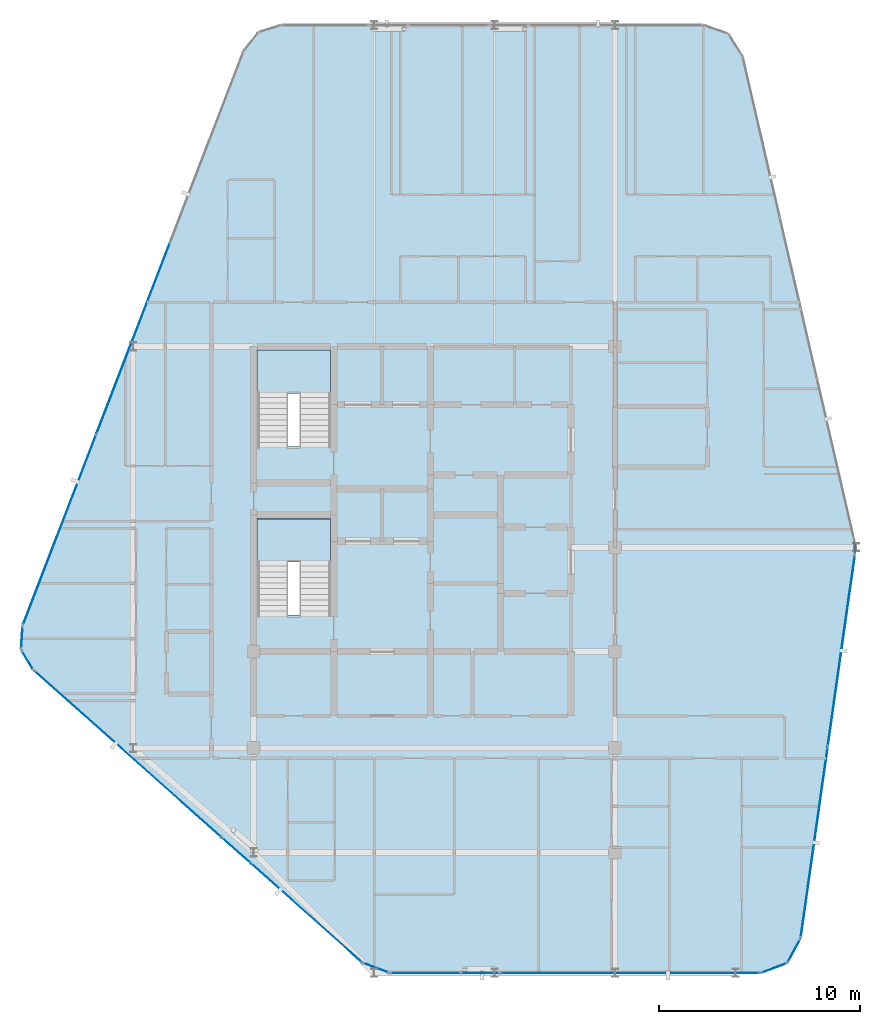
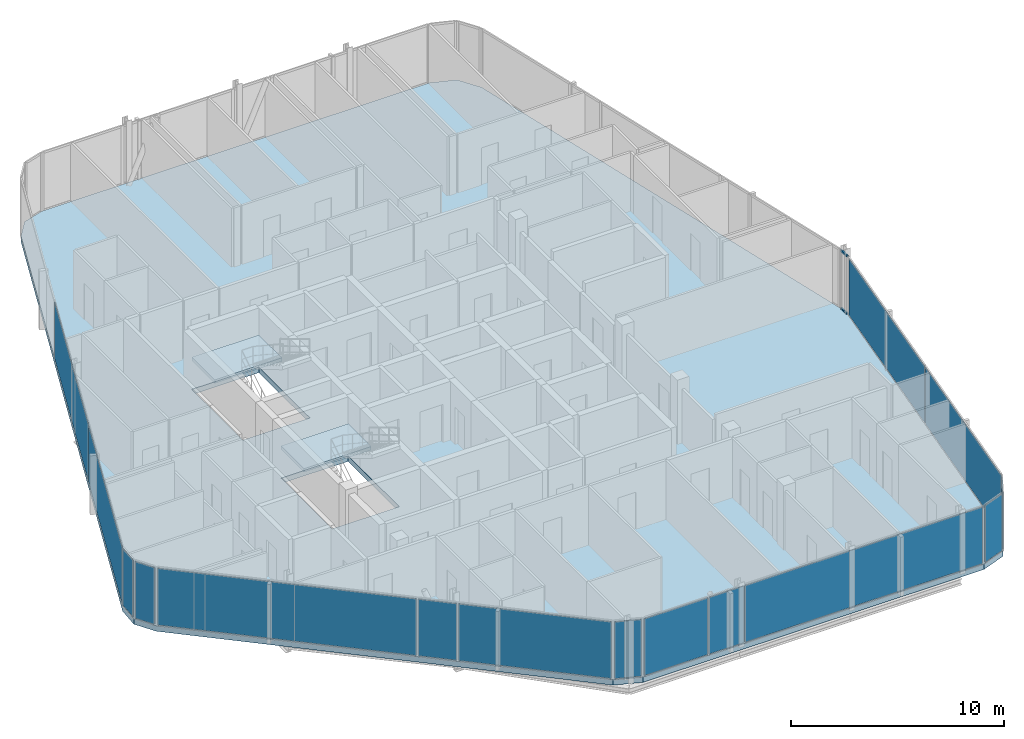
# One storey, part 20 of 28: 15 plates, 3 slabs, 2 members, 16 elements without a shape of their own.
"""IFC4 building model written with IfcOpenShell, lengths in metres."""

from ifc_helpers import new_model, si_unit, direction, frame, origin, origin_2d, place, context, subcontext, project, spatial, polyline, rectangle, hollow_rectangle, outline, extrude, material, layer, layer_set, material_profile, profile_set, type_object, element, aggregate, save


model = new_model("IFC4")

# Units and contexts
model_context = context("Model", 3, precision=1e-05, world=origin(), true_north=direction((0.0, 1.0)))
body_context = subcontext(model_context, "Body", "Model", "MODEL_VIEW")
ifc_project = project(units=[si_unit("LENGTHUNIT", "METRE"), si_unit("AREAUNIT", "SQUARE_METRE"), si_unit("VOLUMEUNIT", "CUBIC_METRE"), si_unit("PLANEANGLEUNIT", "RADIAN"), si_unit("MASSUNIT", "GRAM", prefix="KILO")], contexts=[model_context])

# Site, building, storey
site_placement = place(None, origin())
site = spatial("IfcSite", under=ifc_project, at=site_placement, CompositionType="ELEMENT")
building_placement = place(site_placement, origin())
building = spatial("IfcBuilding", under=site, at=building_placement, Name="Keshet Zoharim Tower", CompositionType="ELEMENT")
storey_placement = place(building_placement, frame((0.0, 0.0, 303.60009765625)))
storey = spatial("IfcBuildingStorey", under=building, at=storey_placement, Name="L76", CompositionType="ELEMENT", Elevation=303.60009765625)

# Curtain wall, members
ifc_material_1 = material(Name="Aluminium 6063-T6", Category="aluminium")
ifc_layer_1 = layer(ifc_material_1, 0.260009765625)
ifc_layer_set_1 = layer_set([ifc_layer_1], Name="Aluminium 6063-T6")
curtain_wall_type = type_object("IfcCurtainWallType", Name="CW-SYS-06", PredefinedType="NOTDEFINED", material=ifc_layer_set_1)
curtain_wall_1_placement = place(storey_placement, origin())
curtain_wall_1 = element("IfcCurtainWall", 1, at=curtain_wall_1_placement, inside=storey, type_object=curtain_wall_type, Name="L76 Unitised Curtain Wall 10", PredefinedType="NOTDEFINED")
ifc_material_profile = material_profile(ifc_material_1, hollow_rectangle(XDim=0.074951171875, YDim=0.1201171875, WallThickness=0.00390625, at=origin_2d()), Name="TRN-75x120")
ifc_profile_set = profile_set([ifc_material_profile], Name="Aluminium 6063-T6")
member_type = type_object("IfcMemberType", Name="CWT-T12", PredefinedType="USERDEFINED", material=ifc_profile_set)
member_1_placement = place(storey_placement, frame((44.9189453125, 28.192138671875, 0.034912109375), z_axis=(0.043813905352, -0.99903970977, 0.0), x_axis=(0.99903970977, 0.043813905352, 0.0)))
member_1 = element("IfcMember", 2, at=member_1_placement, type_object=member_type, Name="CW-06 transom 1.1", ObjectType="TRANSOM", PredefinedType="USERDEFINED", context=body_context, shape_type="SweptSolid", body=[
    extrude(hollow_rectangle(XDim=0.074951171875, YDim=0.1201171875, WallThickness=0.00390625, at=origin_2d()), origin(), (0.0, 0.0, 1.0), 0.590576171875),
])
member_2_placement = place(storey_placement, frame((44.9189453125, 28.192138671875, 3.35498046875), z_axis=(0.043813905352, -0.99903970977, 0.0), x_axis=(0.99903970977, 0.043813905352, 0.0)))
member_2 = element("IfcMember", 3, at=member_2_placement, type_object=member_type, Name="CW-06 transom 1.2", ObjectType="TRANSOM", PredefinedType="USERDEFINED", context=body_context, shape_type="SweptSolid", body=[
    extrude(hollow_rectangle(XDim=0.074951171875, YDim=0.1201171875, WallThickness=0.00390625, at=origin_2d()), origin(), (0.0, 0.0, 1.0), 0.590576171875),
])
aggregate(curtain_wall_1, [member_1, member_2])

# Curtain wall, plate
curtain_wall_2_placement = place(storey_placement, origin())
curtain_wall_2 = element("IfcCurtainWall", 4, at=curtain_wall_2_placement, inside=storey, type_object=curtain_wall_type, Name="L76 Unitised Curtain Wall 01", PredefinedType="NOTDEFINED")
ifc_material_2 = material(Name="Insulated Low-E Clear Glass", Category="glass")
ifc_layer_2 = layer(ifc_material_2, 0.028076171875)
ifc_layer_set_2 = layer_set([ifc_layer_2], Name="Insulated Low-E Clear Glass")
plate_type_1 = type_object("IfcPlateType", Name="CWP-03", PredefinedType="CURTAIN_PANEL", material=ifc_layer_set_2)
plate_1_placement = place(storey_placement, frame((3.7275390625, 22.291015625, 0.06982421875), z_axis=(0.0, 0.0, 1.0), x_axis=(-0.515604947933, 0.856826433805, 0.0)))
plate_1 = element("IfcPlate", 5, at=plate_1_placement, type_object=plate_type_1, Name="CW-06 panel 1.1", PredefinedType="CURTAIN_PANEL", context=body_context, shape_type="SweptSolid", body=[
    extrude(rectangle(XDim=1.052734375, YDim=0.028076171875, at=origin_2d()), origin(), (0.0, 0.0, 1.0), 3.25),
])
aggregate(curtain_wall_2, [plate_1])

curtain_wall_3_placement = place(storey_placement, origin())
curtain_wall_3 = element("IfcCurtainWall", 6, at=curtain_wall_3_placement, inside=storey, type_object=curtain_wall_type, Name="L76 Unitised Curtain Wall 02", PredefinedType="NOTDEFINED")
plate_2_placement = place(storey_placement, frame((3.45849609375, 23.3974609375, 0.06982421875), z_axis=(0.0, 0.0, 1.0), x_axis=(0.064516859374, 0.997916617186, 0.0)))
plate_2 = element("IfcPlate", 7, at=plate_2_placement, type_object=plate_type_1, Name="CW-06 panel 1.1", PredefinedType="CURTAIN_PANEL", context=body_context, shape_type="SweptSolid", body=[
    extrude(rectangle(XDim=1.053466796875, YDim=0.028076171875, at=origin_2d()), origin(), (0.0, 0.0, 1.0), 3.25),
])
aggregate(curtain_wall_3, [plate_2])

# Curtain wall, plates
curtain_wall_4_placement = place(storey_placement, origin())
curtain_wall_4 = element("IfcCurtainWall", 8, at=curtain_wall_4_placement, inside=storey, type_object=curtain_wall_type, Name="L76 Unitised Curtain Wall 03", PredefinedType="NOTDEFINED")
plate_3_placement = place(storey_placement, frame((5.33837890625, 28.7802734375, 0.06982421875), z_axis=(0.0, 0.0, 1.0), x_axis=(0.358990003907, 0.933341404361, 0.0)))
plate_3 = element("IfcPlate", 9, at=plate_3_placement, type_object=plate_type_1, Name="CW-06 panel 1.1", PredefinedType="CURTAIN_PANEL", context=body_context, shape_type="SweptSolid", body=[
    extrude(rectangle(XDim=10.1181640625, YDim=0.028076171875, at=origin_2d()), origin(), (0.0, 0.0, 1.0), 3.25),
])
plate_4_placement = place(storey_placement, frame((9.001953125, 38.305419921875, 0.06982421875), z_axis=(0.0, 0.0, 1.0), x_axis=(0.358990003907, 0.933341404361, 0.0)))
plate_4 = element("IfcPlate", 10, at=plate_4_placement, type_object=plate_type_1, Name="CW-06 panel 2.1", PredefinedType="CURTAIN_PANEL", context=body_context, shape_type="SweptSolid", body=[
    extrude(rectangle(XDim=10.153076171875, YDim=0.028076171875, at=origin_2d()), origin(), (0.0, 0.0, 1.0), 3.25),
])
aggregate(curtain_wall_4, [plate_3, plate_4])

curtain_wall_5_placement = place(storey_placement, origin())
curtain_wall_5 = element("IfcCurtainWall", 11, at=curtain_wall_5_placement, inside=storey, type_object=curtain_wall_type, Name="L76 Unitised Curtain Wall 11", PredefinedType="NOTDEFINED")
plate_5_placement = place(storey_placement, frame((44.269287109375, 22.736572265625, 0.06982421875), z_axis=(0.0, 0.0, 1.0), x_axis=(-0.140137464177, -0.990132057422, 0.0)))
plate_5 = element("IfcPlate", 12, at=plate_5_placement, type_object=plate_type_1, Name="CW-06 panel 1.1", PredefinedType="CURTAIN_PANEL", context=body_context, shape_type="SweptSolid", body=[
    extrude(rectangle(XDim=9.546142578125, YDim=0.028076171875, at=origin_2d()), origin(), (0.0, 0.0, 1.0), 3.25),
])
plate_6_placement = place(storey_placement, frame((42.921630859375, 13.21533203125, 0.06982421875), z_axis=(0.0, 0.0, 1.0), x_axis=(-0.140137464177, -0.990132057422, 0.0)))
plate_6 = element("IfcPlate", 13, at=plate_6_placement, type_object=plate_type_1, Name="CW-06 panel 2.1", PredefinedType="CURTAIN_PANEL", context=body_context, shape_type="SweptSolid", body=[
    extrude(rectangle(XDim=9.546142578125, YDim=0.028076171875, at=origin_2d()), origin(), (0.0, 0.0, 1.0), 3.25),
])
aggregate(curtain_wall_5, [plate_5, plate_6])

# Curtain wall, plate
curtain_wall_6_placement = place(storey_placement, origin())
curtain_wall_6 = element("IfcCurtainWall", 14, at=curtain_wall_6_placement, inside=storey, type_object=curtain_wall_type, Name="L76 Unitised Curtain Wall 12", PredefinedType="NOTDEFINED")
plate_7_placement = place(storey_placement, frame((41.908447265625, 7.804931640625, 0.06982421875), z_axis=(0.0, 0.0, 1.0), x_axis=(-0.477800955789, -0.878468125004, 0.0)))
plate_7 = element("IfcPlate", 15, at=plate_7_placement, type_object=plate_type_1, Name="CW-06 panel 1.1", PredefinedType="CURTAIN_PANEL", context=body_context, shape_type="SweptSolid", body=[
    extrude(rectangle(XDim=1.26025390625, YDim=0.028076171875, at=origin_2d()), origin(), (0.0, 0.0, 1.0), 3.25),
])
aggregate(curtain_wall_6, [plate_7])

curtain_wall_7_placement = place(storey_placement, origin())
curtain_wall_7 = element("IfcCurtainWall", 16, at=curtain_wall_7_placement, inside=storey, type_object=curtain_wall_type, Name="L76 Unitised Curtain Wall 13", PredefinedType="NOTDEFINED")
plate_8_placement = place(storey_placement, frame((40.91845703125, 6.945068359375, 0.06982421875), z_axis=(0.0, 0.0, 1.0), x_axis=(-0.936710343781, -0.350105315376, 0.0)))
plate_8 = element("IfcPlate", 17, at=plate_8_placement, type_object=plate_type_1, Name="CW-06 panel 1.1", PredefinedType="CURTAIN_PANEL", context=body_context, shape_type="SweptSolid", body=[
    extrude(rectangle(XDim=1.259521484375, YDim=0.028076171875, at=origin_2d()), origin(), (0.0, 0.0, 1.0), 3.25),
])
aggregate(curtain_wall_7, [plate_8])

curtain_wall_8_placement = place(storey_placement, origin())
curtain_wall_8 = element("IfcCurtainWall", 18, at=curtain_wall_8_placement, inside=storey, type_object=curtain_wall_type, Name="L76 Unitised Curtain Wall 14", PredefinedType="NOTDEFINED")
plate_9_placement = place(storey_placement, frame((33.743896484375, 6.699951171875, 0.06982421875), z_axis=(0.0, 0.0, 1.0), x_axis=(-1.0, 0.0, 0.0)))
plate_9 = element("IfcPlate", 19, at=plate_9_placement, type_object=plate_type_1, Name="CW-06 panel 1.1", PredefinedType="CURTAIN_PANEL", context=body_context, shape_type="SweptSolid", body=[
    extrude(rectangle(XDim=12.898193359375, YDim=0.028076171875, at=origin_2d()), origin(), (0.0, 0.0, 1.0), 3.25),
])
aggregate(curtain_wall_8, [plate_9])

curtain_wall_9_placement = place(storey_placement, origin())
curtain_wall_9 = element("IfcCurtainWall", 20, at=curtain_wall_9_placement, inside=storey, type_object=curtain_wall_type, Name="L76 Unitised Curtain Wall 14 Part 3", PredefinedType="NOTDEFINED")
plate_10_placement = place(storey_placement, frame((23.552490234375, 6.699951171875, 0.06982421875), z_axis=(0.0, 0.0, 1.0), x_axis=(-1.0, 0.0, 0.0)))
plate_10 = element("IfcPlate", 21, at=plate_10_placement, type_object=plate_type_1, Name="CW-06 panel 1.1", PredefinedType="CURTAIN_PANEL", context=body_context, shape_type="SweptSolid", body=[
    extrude(rectangle(XDim=3.4453125, YDim=0.028076171875, at=origin_2d()), origin(), (0.0, 0.0, 1.0), 3.25),
])
aggregate(curtain_wall_9, [plate_10])

curtain_wall_10_placement = place(storey_placement, origin())
curtain_wall_10 = element("IfcCurtainWall", 22, at=curtain_wall_10_placement, inside=storey, type_object=curtain_wall_type, Name="L76 Unitised Curtain Wall 15", PredefinedType="NOTDEFINED")
plate_11_placement = place(storey_placement, frame((21.095947265625, 6.952392578125, 0.06982421875), z_axis=(0.0, 0.0, 1.0), x_axis=(-0.934699418314, 0.355439161326, 0.0)))
plate_11 = element("IfcPlate", 23, at=plate_11_placement, type_object=plate_type_1, Name="CW-06 panel 1.1", PredefinedType="CURTAIN_PANEL", context=body_context, shape_type="SweptSolid", body=[
    extrude(rectangle(XDim=1.28076171875, YDim=0.028076171875, at=origin_2d()), origin(), (0.0, 0.0, 1.0), 3.25),
])
aggregate(curtain_wall_10, [plate_11])

curtain_wall_11_placement = place(storey_placement, origin())
curtain_wall_11 = element("IfcCurtainWall", 24, at=curtain_wall_11_placement, inside=storey, type_object=curtain_wall_type, Name="L76 Unitised Curtain Wall 16", PredefinedType="NOTDEFINED")
plate_12_placement = place(storey_placement, frame((17.634521484375, 9.691650390625, 0.06982421875), z_axis=(0.0, 0.0, 1.0), x_axis=(-0.747410792699, 0.664362180559, 0.0)))
plate_12 = element("IfcPlate", 25, at=plate_12_placement, type_object=plate_type_1, Name="CW-06 panel 1.1", PredefinedType="CURTAIN_PANEL", context=body_context, shape_type="SweptSolid", body=[
    extrude(rectangle(XDim=7.345947265625, YDim=0.028076171875, at=origin_2d()), origin(), (0.0, 0.0, 1.0), 3.25),
])
aggregate(curtain_wall_11, [plate_12])

curtain_wall_12_placement = place(storey_placement, origin())
curtain_wall_12 = element("IfcCurtainWall", 26, at=curtain_wall_12_placement, inside=storey, type_object=curtain_wall_type, Name="L76 Unitised Curtain Wall 16 Part 3", PredefinedType="NOTDEFINED")
plate_13_placement = place(storey_placement, frame((8.7333984375, 17.603515625, 0.06982421875), z_axis=(0.0, 0.0, 1.0), x_axis=(-0.747409318679, 0.664363838836, 0.0)))
plate_13 = element("IfcPlate", 27, at=plate_13_placement, type_object=plate_type_1, Name="CW-06 panel 1.1", PredefinedType="CURTAIN_PANEL", context=body_context, shape_type="SweptSolid", body=[
    extrude(rectangle(XDim=12.432861328125, YDim=0.028076171875, at=origin_2d()), origin(), (0.0, 0.0, 1.0), 3.25),
])
aggregate(curtain_wall_12, [plate_13])

curtain_wall_13_placement = place(storey_placement, origin())
curtain_wall_13 = element("IfcCurtainWall", 28, at=curtain_wall_13_placement, inside=storey, type_object=curtain_wall_type, Name="L76 Unitised Curtain Wall 14 Part 2", PredefinedType="NOTDEFINED")
ifc_material_3 = material(Name="Insulated Aluminium Spandrel Panel", Category="aluminium")
ifc_layer_3 = layer(ifc_material_3, 0.028076171875)
ifc_layer_set_3 = layer_set([ifc_layer_3], Name="Insulated Aluminium Spandrel Panel")
plate_type_2 = type_object("IfcPlateType", Name="CWP-06", PredefinedType="CURTAIN_PANEL", material=ifc_layer_set_3)
plate_14_placement = place(storey_placement, frame((26.284912109375, 6.699951171875, 0.06982421875), z_axis=(0.0, 0.0, 1.0), x_axis=(-1.0, 0.0, 0.0)))
plate_14 = element("IfcPlate", 29, at=plate_14_placement, type_object=plate_type_2, Name="CW-06 spandrel panel 1.1", PredefinedType="CURTAIN_PANEL", context=body_context, shape_type="SweptSolid", body=[
    extrude(rectangle(XDim=1.879638671875, YDim=0.028076171875, at=origin_2d()), origin(), (0.0, 0.0, 1.0), 3.25),
])
aggregate(curtain_wall_13, [plate_14])

curtain_wall_14_placement = place(storey_placement, origin())
curtain_wall_14 = element("IfcCurtainWall", 30, at=curtain_wall_14_placement, inside=storey, type_object=curtain_wall_type, Name="L76 Unitised Curtain Wall 16 Part 2", PredefinedType="NOTDEFINED")
plate_15_placement = place(storey_placement, frame((14.134521484375, 12.802734375, 0.06982421875), z_axis=(0.0, 0.0, 1.0), x_axis=(-0.747431957629, 0.664338369143, 0.0)))
plate_15 = element("IfcPlate", 31, at=plate_15_placement, type_object=plate_type_2, Name="CW-06 spandrel panel 1.1", PredefinedType="CURTAIN_PANEL", context=body_context, shape_type="SweptSolid", body=[
    extrude(rectangle(XDim=1.879638671875, YDim=0.028076171875, at=origin_2d()), origin(), (0.0, 0.0, 1.0), 3.25),
])
aggregate(curtain_wall_14, [plate_15])

# Stair, slab
ifc_material_4 = material(Name="Concrete C50/60", Category="concrete")
stair_type = type_object("IfcStairType", Name="STR-EXIT-135", PredefinedType="HALF_TURN_STAIR", material=ifc_material_4)
stair_1_placement = place(storey_placement, origin())
stair_1 = element("IfcStair", 32, at=stair_1_placement, inside=storey, type_object=stair_type, Name="L76 Enclosed Exit Stair ST-01", PredefinedType="HALF_TURN_STAIR")
ifc_layer_4 = layer(ifc_material_4, 0.199951171875)
ifc_layer_set_4 = layer_set([ifc_layer_4], Name="Concrete C50/60")
slab_type_1 = type_object("IfcSlabType", Name="SLB-LND-200", PredefinedType="LANDING", material=ifc_layer_set_4)
slab_1_placement = place(storey_placement, frame((0.0, 0.0, 1.64990234375)))
slab_1 = element("IfcSlab", 33, at=slab_1_placement, type_object=slab_type_1, Name="ST-01 landing 1", PredefinedType="LANDING", context=body_context, shape_type="SweptSolid", body=[
    extrude(outline(polyline([(15.179931640625, 27.159912109375), (18.820068359375, 27.159912109375), (18.820068359375, 29.320068359375), (15.179931640625, 29.320068359375), (15.179931640625, 27.159912109375)])), origin(), (0.0, 0.0, 1.0), 0.199951171875),
])
aggregate(stair_1, [slab_1])

stair_2_placement = place(storey_placement, origin())
stair_2 = element("IfcStair", 34, at=stair_2_placement, inside=storey, type_object=stair_type, Name="L76 Enclosed Exit Stair ST-02", PredefinedType="HALF_TURN_STAIR")
slab_2_placement = place(storey_placement, frame((0.0, 0.0, 1.64990234375)))
slab_2 = element("IfcSlab", 35, at=slab_2_placement, type_object=slab_type_1, Name="ST-02 landing 1", PredefinedType="LANDING", context=body_context, shape_type="SweptSolid", body=[
    extrude(outline(polyline([(15.179931640625, 35.56005859375), (18.820068359375, 35.56005859375), (18.820068359375, 37.719970703125), (15.179931640625, 37.719970703125), (15.179931640625, 35.56005859375)])), origin(), (0.0, 0.0, 1.0), 0.199951171875),
])
aggregate(stair_2, [slab_2])

# Slab
ifc_layer_5 = layer(ifc_material_4, 0.31005859375)
ifc_layer_set_5 = layer_set([ifc_layer_5], Name="Concrete C50/60")
slab_type_2 = type_object("IfcSlabType", Name="SLB-UPP-240", PredefinedType="FLOOR", material=ifc_layer_set_5)
slab_3_placement = place(storey_placement, frame((0.0, 0.0, -0.31005859375)))
element("IfcSlab", 36, at=slab_3_placement, inside=storey, type_object=slab_type_2, Name="L76 Structural Floor Slab 1", PredefinedType="FLOOR", context=body_context, shape_type="SweptSolid", body=[
    extrude(outline(polyline([(4.034912109375, 21.780029296875), (3.419921875, 22.802001953125), (3.4970703125, 23.992919921875), (14.507080078125, 52.617919921875), (15.240966796875, 53.549072265625), (16.3740234375, 53.89990234375), (37.408935546875, 53.89990234375), (38.654052734375, 53.465087890625), (39.35791015625, 52.35009765625), (44.916015625, 28.261962890625), (44.947998046875, 27.531982421875), (42.242919921875, 8.419921875), (41.573974609375, 7.18994140625), (40.262939453125, 6.699951171875), (21.760009765625, 6.699951171875), (20.431884765625, 7.205078125), (4.034912109375, 21.780029296875)]), holes=[polyline([(15.179931640625, 24.52001953125), (18.820068359375, 24.52001953125), (18.820068359375, 29.320068359375), (15.179931640625, 29.320068359375), (15.179931640625, 24.52001953125)]), polyline([(15.179931640625, 32.919921875), (18.820068359375, 32.919921875), (18.820068359375, 37.719970703125), (15.179931640625, 37.719970703125), (15.179931640625, 32.919921875)])]), origin(), (0.0, 0.0, 1.0), 0.31005859375),
])

save(model, "model.ifc")
